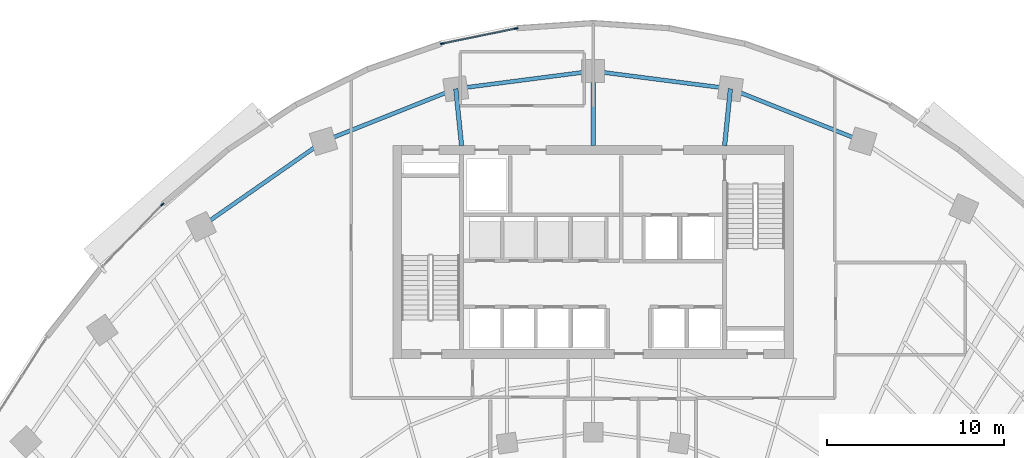
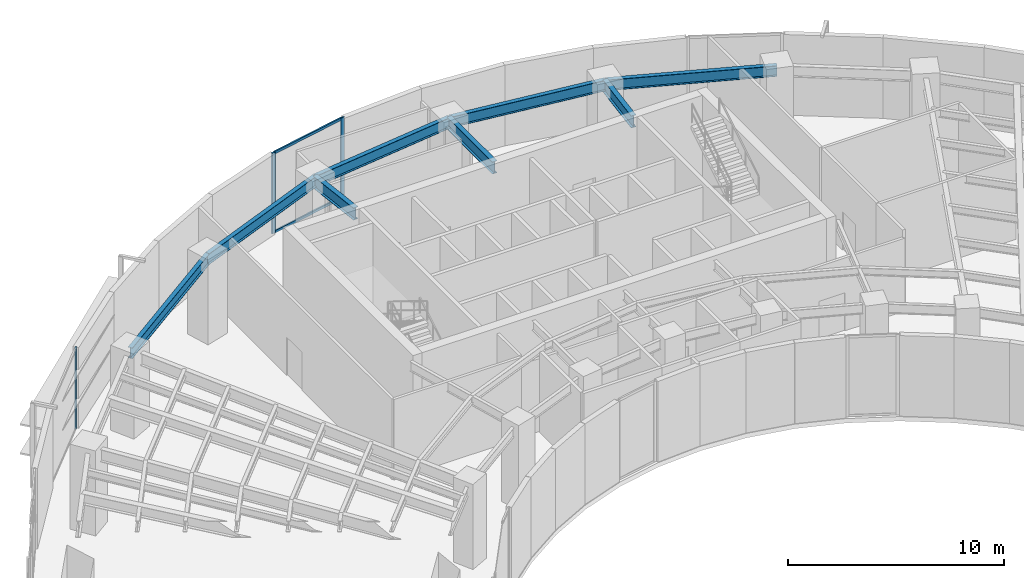
# One storey, part 5 of 15: 8 beams, 5 members, 2 elements without a shape of their own.
"""IFC4 building model written with IfcOpenShell, lengths in metres."""

from ifc_helpers import new_model, si_unit, direction, frame, origin, origin_2d, place, context, subcontext, project, spatial, rectangle, i_section, extrude, source, transform, mapped, material, layer, layer_set, material_profile, profile_set, type_object, element, aggregate, save


model = new_model("IFC4")

# Units and contexts
model_context = context("Model", 3, precision=1e-05, world=origin(), true_north=direction((0.0, 1.0)))
body_context = subcontext(model_context, "Body", "Model", "MODEL_VIEW")
ifc_project = project(units=[si_unit("LENGTHUNIT", "METRE"), si_unit("AREAUNIT", "SQUARE_METRE"), si_unit("VOLUMEUNIT", "CUBIC_METRE"), si_unit("PLANEANGLEUNIT", "RADIAN"), si_unit("MASSUNIT", "GRAM", prefix="KILO")], contexts=[model_context])

# Site, building, storey
site_placement = place(None, origin())
site = spatial("IfcSite", under=ifc_project, at=site_placement, CompositionType="ELEMENT")
building_placement = place(site_placement, origin())
building = spatial("IfcBuilding", under=site, at=building_placement, Name="Breltana Convention Tower", CompositionType="ELEMENT")
storey_placement = place(building_placement, frame((0.0, 0.0, 91.199951171875)))
storey = spatial("IfcBuildingStorey", under=building, at=storey_placement, Name="L21", CompositionType="ELEMENT", Elevation=91.199951171875)

# Beams
ifc_material_1 = material(Name="Steel ASTM A992 Grade 50", Category="steel")
ifc_material_profile_1 = material_profile(ifc_material_1, i_section(OverallWidth=0.25390625, OverallDepth=0.68798828125, WebThickness=0.01318359375, FlangeThickness=0.02099609375, at=origin_2d()), Name="W27X102")
ifc_profile_set_1 = profile_set([ifc_material_profile_1], Name="Steel ASTM A992 Grade 50")
beam_type_1 = type_object("IfcBeamType", Name="BM-RG-W27X102", PredefinedType="USERDEFINED", material=ifc_profile_set_1)
shared_shape_1 = source(origin(), body_context, "Body", "SweptSolid", [
    extrude(i_section(OverallWidth=0.25390625, OverallDepth=0.68798828125, WebThickness=0.01318359375, FlangeThickness=0.02099609375, at=origin_2d()), origin(), (0.0, 0.0, 1.0), 3.220947265625),
])
for number, where, z_axis, x_axis, name in (
    (1, (40.580078125, 72.199951171875, 4.2060546875), (-0.101492254858, 0.994836329355, 0.0), (-0.994836329355, -0.101492254858, 0.0), "L21 North Core Radial Girder R05"),
    (2, (55.419921875, 72.199951171875, 4.2060546875), (0.101492254858, 0.994836329355, 0.0), (-0.994836329355, 0.101492254858, 0.0), "L21 North Core Radial Girder R07"),
):
    element("IfcBeam", number, at=place(storey_placement, frame(where, z_axis=z_axis, x_axis=x_axis)), inside=storey, type_object=beam_type_1, Name=name, ObjectType="GIRDER", PredefinedType="USERDEFINED", context=body_context, shape_type="MappedRepresentation", body=[
        mapped(shared_shape_1, transform((0.0, 0.0, 0.0), scale=1.0)),
    ])
shared_shape_2 = source(origin(), body_context, "Body", "SweptSolid", [
    extrude(i_section(OverallWidth=0.25390625, OverallDepth=0.68798828125, WebThickness=0.01318359375, FlangeThickness=0.02099609375, at=origin_2d()), origin(), (0.0, 0.0, 1.0), 4.2041015625),
])
beam_1_placement = place(storey_placement, frame((48.0, 72.199951171875, 4.2060546875), z_axis=(0.0, 1.0, 0.0), x_axis=(-1.0, 0.0, 0.0)))
element("IfcBeam", 3, at=beam_1_placement, inside=storey, type_object=beam_type_1, Name="L21 North Core Radial Girder R06", ObjectType="GIRDER", PredefinedType="USERDEFINED", context=body_context, shape_type="MappedRepresentation", body=[
    mapped(shared_shape_2, transform((0.0, 0.0, 0.0), scale=1.0)),
])
ifc_material_profile_2 = material_profile(ifc_material_1, i_section(OverallWidth=0.22802734375, OverallDepth=0.60791015625, WebThickness=0.01123046875, FlangeThickness=0.017333984375, at=origin_2d()), Name="W24X76")
ifc_profile_set_2 = profile_set([ifc_material_profile_2], Name="Steel ASTM A992 Grade 50")
beam_type_2 = type_object("IfcBeamType", Name="BM-SP-W24X76", PredefinedType="SPANDREL", material=ifc_profile_set_2)
shared_shape_3 = source(origin(), body_context, "Body", "SweptSolid", [
    extrude(i_section(OverallWidth=0.22802734375, OverallDepth=0.60791015625, WebThickness=0.01123046875, FlangeThickness=0.017333984375, at=origin_2d()), origin(), (0.0, 0.0, 1.0), 8.4169921875),
])
beam_2_placement = place(storey_placement, frame((25.8876953125, 67.626953125, 4.24609375), z_axis=(0.820173800102, 0.572114444519, 0.0), x_axis=(-0.572114444519, 0.820173800102, 0.0)))
element("IfcBeam", 4, at=beam_2_placement, inside=storey, type_object=beam_type_2, Name="L21 Outer Spandrel Beam 03", PredefinedType="SPANDREL", context=body_context, shape_type="MappedRepresentation", body=[
    mapped(shared_shape_3, transform((0.0, 0.0, 0.0), scale=1.0)),
])
shared_shape_4 = source(origin(), body_context, "Body", "SweptSolid", [
    extrude(i_section(OverallWidth=0.22802734375, OverallDepth=0.60791015625, WebThickness=0.01123046875, FlangeThickness=0.017333984375, at=origin_2d()), origin(), (0.0, 0.0, 1.0), 8.028564453125),
])
for number, where, z_axis, x_axis, name in (
    (5, (32.791015625, 72.4423828125, 4.24609375), (0.929459100394, 0.368925169507, 0.0), (-0.368925169507, 0.929459100394, 0.0), "L21 Outer Spandrel Beam 04"),
    (6, (55.746826171875, 75.404296875, 4.24609375), (0.929459100394, -0.368925169507, 0.0), (0.368925169507, 0.929459100394, 0.0), "L21 Outer Spandrel Beam 07"),
):
    element("IfcBeam", number, at=place(storey_placement, frame(where, z_axis=z_axis, x_axis=x_axis)), inside=storey, type_object=beam_type_2, Name=name, PredefinedType="SPANDREL", context=body_context, shape_type="MappedRepresentation", body=[
        mapped(shared_shape_4, transform((0.0, 0.0, 0.0), scale=1.0)),
    ])
shared_shape_5 = source(origin(), body_context, "Body", "SweptSolid", [
    extrude(i_section(OverallWidth=0.22802734375, OverallDepth=0.60791015625, WebThickness=0.01123046875, FlangeThickness=0.017333984375, at=origin_2d()), origin(), (0.0, 0.0, 1.0), 7.81103515625),
])
for number, where, z_axis, x_axis, name in (
    (7, (40.253173828125, 75.404296875, 4.24609375), (0.991775179127, 0.127992164083, 0.0), (-0.127992164083, 0.991775179127, 0.0), "L21 Outer Spandrel Beam 05"),
    (8, (48.0, 76.404052734375, 4.24609375), (0.991775179127, -0.127992164083, 0.0), (0.127992164083, 0.991775179127, 0.0), "L21 Outer Spandrel Beam 06"),
):
    element("IfcBeam", number, at=place(storey_placement, frame(where, z_axis=z_axis, x_axis=x_axis)), inside=storey, type_object=beam_type_2, Name=name, PredefinedType="SPANDREL", context=body_context, shape_type="MappedRepresentation", body=[
        mapped(shared_shape_5, transform((0.0, 0.0, 0.0), scale=1.0)),
    ])

# Curtain wall, member
ifc_material_2 = material(Name="Aluminium Anodised Bronze Frame", Category="aluminium")
ifc_layer = layer(ifc_material_2, 0.239990234375, Name="Aluminium Anodised Bronze Frame")
ifc_layer_set = layer_set([ifc_layer], Name="Aluminium Anodised Bronze Frame")
curtain_wall_type = type_object("IfcCurtainWallType", Name="CW-SYS-6", PredefinedType="NOTDEFINED", material=ifc_layer_set)
curtain_wall_1_placement = place(storey_placement, origin())
curtain_wall_1 = element("IfcCurtainWall", 9, at=curtain_wall_1_placement, inside=storey, type_object=curtain_wall_type, Name="L21 outer double-skin inner glazing 2", PredefinedType="NOTDEFINED")
ifc_material_3 = material(Name="Aluminium Anodised Bronze", Category="aluminium")
ifc_material_profile_3 = material_profile(ifc_material_3, rectangle(XDim=0.080078125, YDim=0.199951171875, at=origin_2d()), Name="CWM-80X200")
ifc_profile_set_3 = profile_set([ifc_material_profile_3], Name="Aluminium Anodised Bronze")
member_type_1 = type_object("IfcMemberType", Name="CWM-200", PredefinedType="MULLION", material=ifc_profile_set_3)
shared_shape_6 = source(origin(), body_context, "Body", "SweptSolid", [
    extrude(rectangle(XDim=0.080078125, YDim=0.199951171875, at=origin_2d()), origin(), (0.0, 0.0, 1.0), 4.550048828125),
])
member_1_placement = place(storey_placement, frame((23.697021484375, 68.878662109375, 0.0), z_axis=(0.0, 0.0, 1.0), x_axis=(-0.719384961558, 0.694611601605, 0.0)))
member_1 = element("IfcMember", 10, at=member_1_placement, type_object=member_type_1, Name="CW-06 mullion 2", PredefinedType="MULLION", context=body_context, shape_type="MappedRepresentation", body=[
    mapped(shared_shape_6, transform((0.0, 0.0, 0.0), scale=1.0)),
])
aggregate(curtain_wall_1, [member_1])

# Curtain wall, members
curtain_wall_2_placement = place(storey_placement, origin())
curtain_wall_2 = element("IfcCurtainWall", 11, at=curtain_wall_2_placement, inside=storey, type_object=curtain_wall_type, Name="L21 outer double-skin inner glazing 3", PredefinedType="NOTDEFINED")
member_2_placement = place(storey_placement, frame((39.490966796875, 77.948974609375, 0.0), z_axis=(0.0, 0.0, 1.0), x_axis=(-0.200858550415, 0.979620254346, 0.0)))
member_2 = element("IfcMember", 12, at=member_2_placement, type_object=member_type_1, Name="CW-06 mullion 1", PredefinedType="MULLION", context=body_context, shape_type="MappedRepresentation", body=[
    mapped(shared_shape_6, transform((0.0, 0.0, 0.0), scale=1.0)),
])
member_3_placement = place(storey_placement, frame((43.664794921875, 78.804931640625, 0.0), z_axis=(0.0, 0.0, 1.0), x_axis=(-0.200858550415, 0.979620254346, 0.0)))
member_3 = element("IfcMember", 13, at=member_3_placement, type_object=member_type_1, Name="CW-06 mullion 2", PredefinedType="MULLION", context=body_context, shape_type="MappedRepresentation", body=[
    mapped(shared_shape_6, transform((0.0, 0.0, 0.0), scale=1.0)),
])
ifc_material_profile_4 = material_profile(ifc_material_3, rectangle(XDim=0.080078125, YDim=0.139892578125, at=origin_2d()), Name="CWT-80X140")
ifc_profile_set_4 = profile_set([ifc_material_profile_4], Name="Aluminium Anodised Bronze")
member_type_2 = type_object("IfcMemberType", Name="CWT-140", PredefinedType="USERDEFINED", material=ifc_profile_set_4)
shared_shape_7 = source(origin(), body_context, "Body", "SweptSolid", [
    extrude(rectangle(XDim=0.080078125, YDim=0.139892578125, at=origin_2d()), origin(), (0.0, 0.0, 1.0), 4.180908203125),
])
member_4_placement = place(storey_placement, frame((39.530029296875, 77.95703125, 0.0400390625), z_axis=(0.979616845391, 0.200875175736, 0.0), x_axis=(-0.200875175736, 0.979616845391, 0.0)))
member_4 = element("IfcMember", 14, at=member_4_placement, type_object=member_type_2, Name="CW-06 transom 1.1", ObjectType="TRANSOM", PredefinedType="USERDEFINED", context=body_context, shape_type="MappedRepresentation", body=[
    mapped(shared_shape_7, transform((0.0, 0.0, 0.0), scale=1.0)),
])
member_5_placement = place(storey_placement, frame((39.530029296875, 77.95703125, 4.510009765625), z_axis=(0.979616845391, 0.200875175736, 0.0), x_axis=(-0.200875175736, 0.979616845391, 0.0)))
member_5 = element("IfcMember", 15, at=member_5_placement, type_object=member_type_2, Name="CW-06 transom 1.2", ObjectType="TRANSOM", PredefinedType="USERDEFINED", context=body_context, shape_type="MappedRepresentation", body=[
    mapped(shared_shape_7, transform((0.0, 0.0, 0.0), scale=1.0)),
])
aggregate(curtain_wall_2, [member_2, member_3, member_4, member_5])

save(model, "model.ifc")
